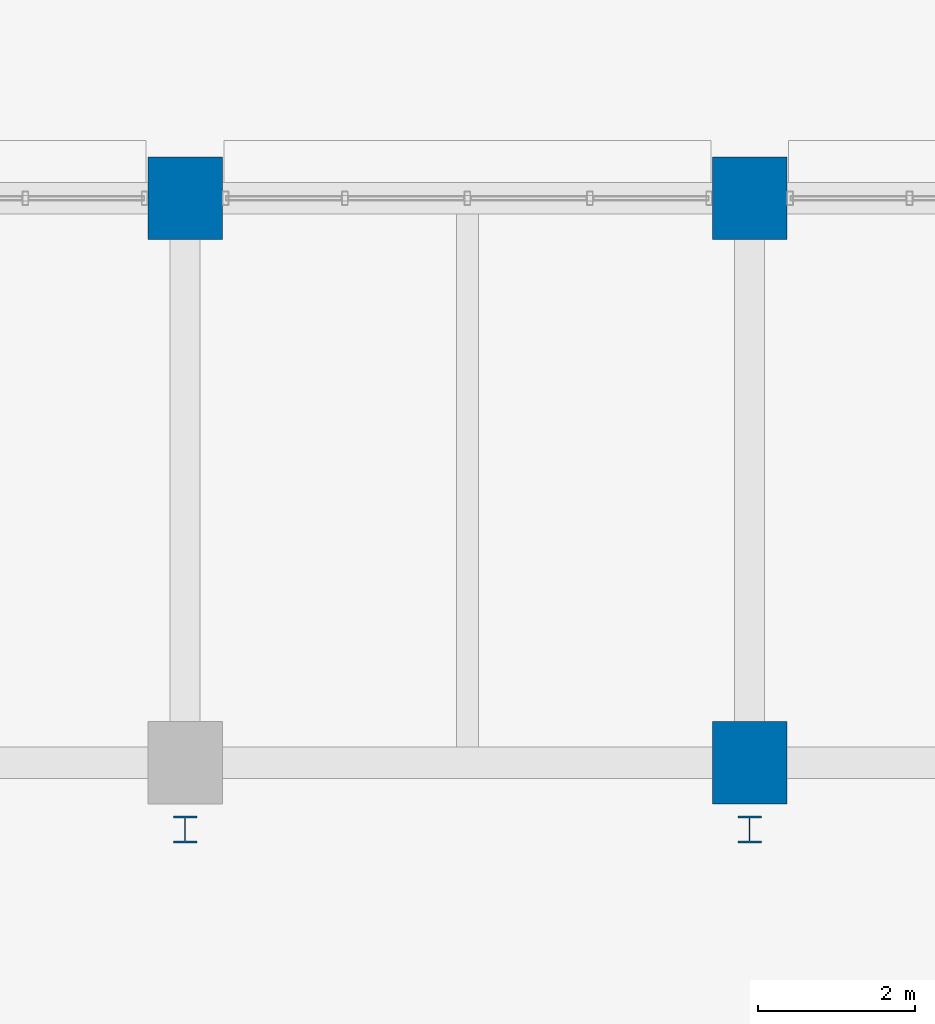
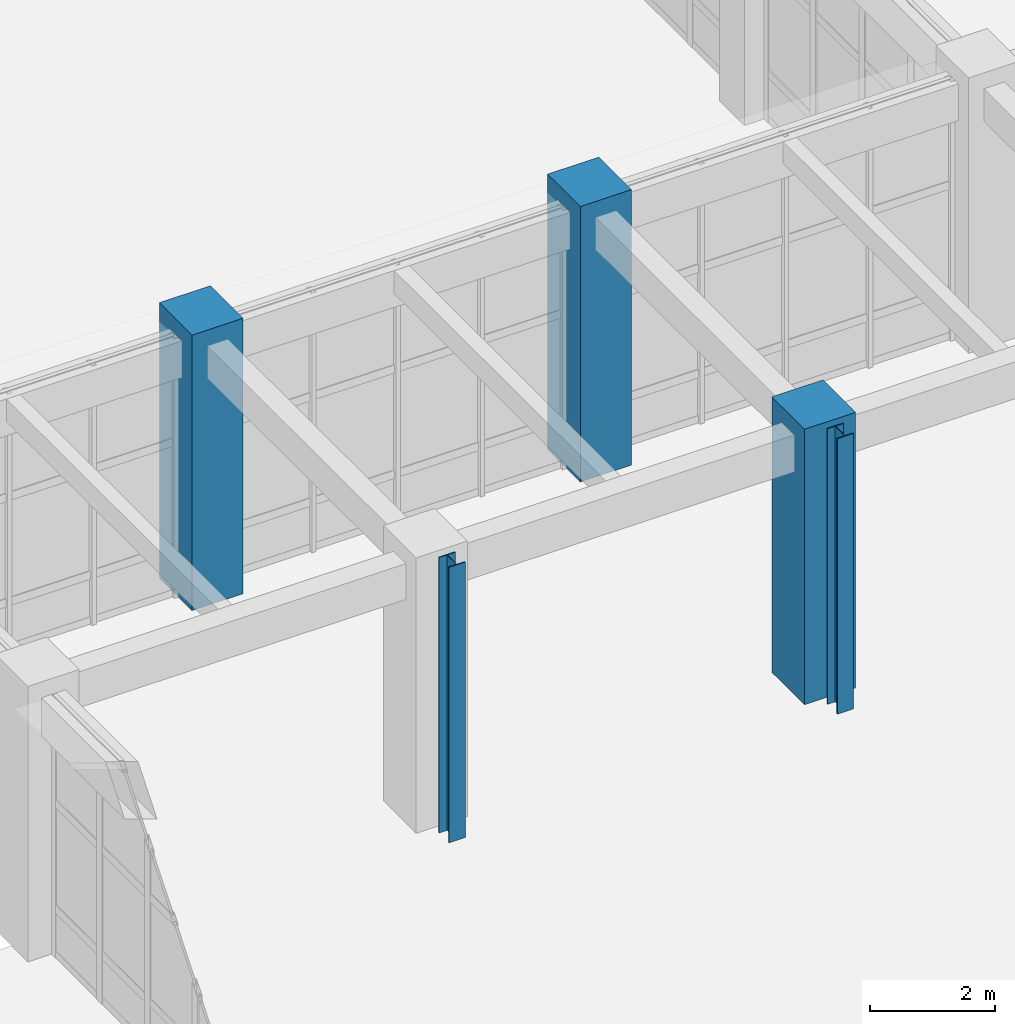
# One storey, part 6 of 160: 5 columns.
"""IFC4 building model written with IfcOpenShell, lengths in metres."""

from ifc_helpers import new_model, si_unit, direction, frame, origin, origin_2d, place, context, subcontext, project, spatial, rectangle, i_section, extrude, material, material_profile, profile_set, type_object, element, save


model = new_model("IFC4")

# Units and contexts
model_context = context("Model", 3, precision=1e-05, world=origin(), true_north=direction((0.0, 1.0)))
body_context = subcontext(model_context, "Body", "Model", "MODEL_VIEW")
ifc_project = project(units=[si_unit("LENGTHUNIT", "METRE"), si_unit("AREAUNIT", "SQUARE_METRE"), si_unit("VOLUMEUNIT", "CUBIC_METRE"), si_unit("PLANEANGLEUNIT", "RADIAN"), si_unit("MASSUNIT", "GRAM", prefix="KILO")], contexts=[model_context])

# Site, building, storey
site_placement = place(None, origin())
site = spatial("IfcSite", under=ifc_project, at=site_placement, CompositionType="ELEMENT")
building_placement = place(site_placement, origin())
building = spatial("IfcBuilding", under=site, at=building_placement, Name="Thalmaran Polytechnic", CompositionType="ELEMENT")
storey_placement = place(building_placement, origin())
storey = spatial("IfcBuildingStorey", under=building, at=storey_placement, Name="L00", CompositionType="ELEMENT", Elevation=0.0)

# Columns
ifc_material_1 = material(Name="Steel S355", Category="steel")
ifc_material_profile_1 = material_profile(ifc_material_1, i_section(OverallWidth=0.300048828125, OverallDepth=0.340087890625, WebThickness=0.011962890625, FlangeThickness=0.021484375, at=origin_2d()), Name="HEB 340")
ifc_profile_set_1 = profile_set([ifc_material_profile_1], Name="Steel S355")
column_type_1 = type_object("IfcColumnType", Name="COL-SC1", PredefinedType="COLUMN", material=ifc_profile_set_1)
for number, where, z_axis, x_axis, name in (
    (1, (115.199951171875, 49.550048828125, 0.0), (0.0, 0.0, 1.0), (1.0, 0.0, 0.0), "Workshop Crane Runway Column L00 (16,7)"),
    (2, (122.39990234375, 49.550048828125, 0.0), (0.0, 0.0, 1.0), (1.0, 0.0, 0.0), "Workshop Crane Runway Column L00 (17,7)"),
):
    element("IfcColumn", number, at=place(storey_placement, frame(where, z_axis=z_axis, x_axis=x_axis)), inside=storey, type_object=column_type_1, Name=name, PredefinedType="COLUMN", context=body_context, shape_type="SweptSolid", body=[
        extrude(i_section(OverallWidth=0.300048828125, OverallDepth=0.340087890625, WebThickness=0.011962890625, FlangeThickness=0.021484375, at=origin_2d()), origin(), (0.0, 0.0, 1.0), 5.39990234375),
    ])
ifc_material_2 = material(Name="Concrete C50/60", Category="concrete")
ifc_material_profile_2 = material_profile(ifc_material_2, rectangle(XDim=0.949951171875, YDim=1.050048828125, at=origin_2d()), Name="RC 950x1050")
ifc_profile_set_2 = profile_set([ifc_material_profile_2], Name="Concrete C50/60")
column_type_2 = type_object("IfcColumnType", Name="COL-WP2", PredefinedType="COLUMN", material=ifc_profile_set_2)
for number, where, z_axis, x_axis, name in (
    (3, (115.199951171875, 57.60009765625, 0.0), (0.0, 0.0, 1.0), (1.0, 0.0, 0.0), "Column WP2 L00 (16,8)"),
    (4, (122.39990234375, 50.39990234375, 0.0), (0.0, 0.0, 1.0), (1.0, 0.0, 0.0), "Column WP2 L00 (17,7)"),
    (5, (122.39990234375, 57.60009765625, 0.0), (0.0, 0.0, 1.0), (1.0, 0.0, 0.0), "Column WP2 L00 (17,8)"),
):
    element("IfcColumn", number, at=place(storey_placement, frame(where, z_axis=z_axis, x_axis=x_axis)), inside=storey, type_object=column_type_2, Name=name, PredefinedType="COLUMN", context=body_context, shape_type="SweptSolid", body=[
        extrude(rectangle(XDim=0.949951171875, YDim=1.050048828125, at=origin_2d()), origin(), (0.0, 0.0, 1.0), 5.39990234375),
    ])

save(model, "model.ifc")
